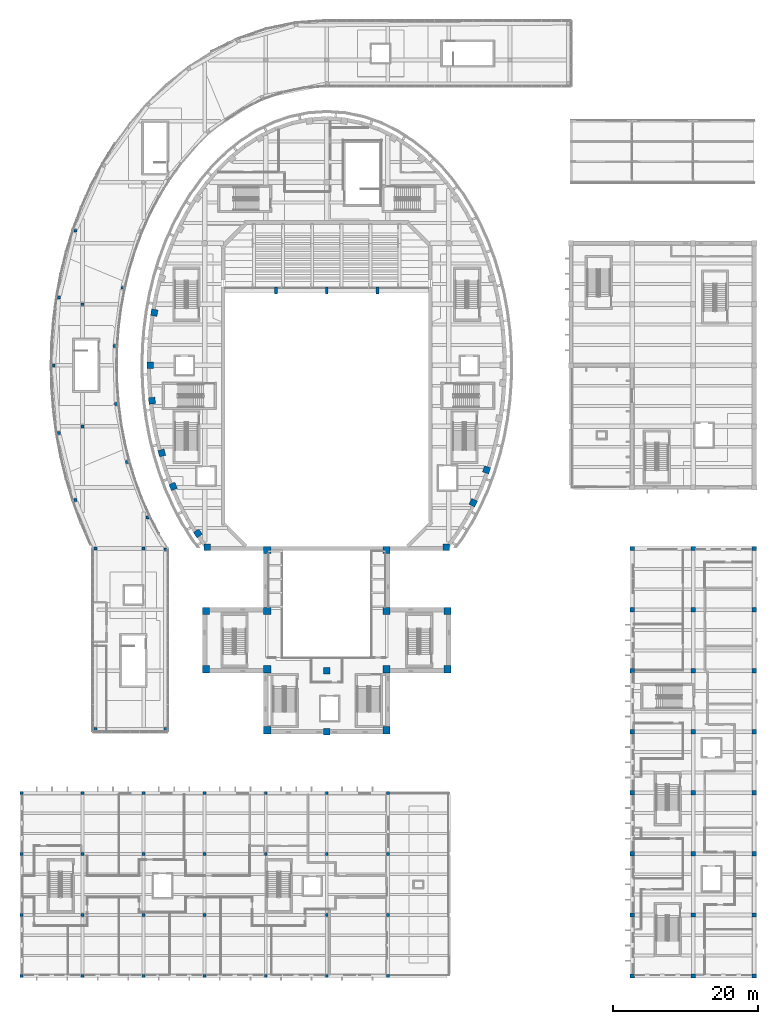
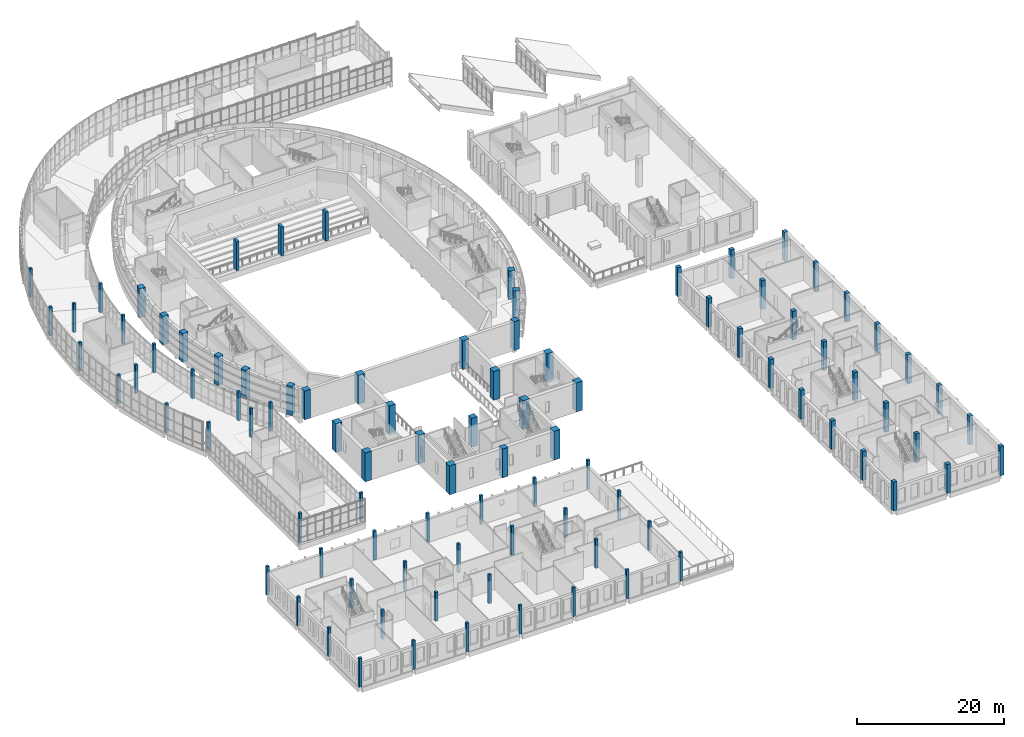
# One storey, part 1 of 103: 95 columns.
"""IFC4 building model written with IfcOpenShell, lengths in metres."""

from ifc_helpers import new_model, si_unit, direction, frame, origin, origin_2d, place, context, subcontext, project, spatial, rectangle, extrude, material, material_profile, profile_set, type_object, element, save


model = new_model("IFC4")

# Units and contexts
model_context = context("Model", 3, precision=1e-05, world=origin(), true_north=direction((0.0, 1.0)))
body_context = subcontext(model_context, "Body", "Model", "MODEL_VIEW")
ifc_project = project(units=[si_unit("LENGTHUNIT", "METRE"), si_unit("AREAUNIT", "SQUARE_METRE"), si_unit("VOLUMEUNIT", "CUBIC_METRE"), si_unit("PLANEANGLEUNIT", "RADIAN"), si_unit("MASSUNIT", "GRAM", prefix="KILO")], contexts=[model_context])

# Site, building, storey
site_placement = place(None, origin())
site = spatial("IfcSite", under=ifc_project, at=site_placement, CompositionType="ELEMENT")
building_placement = place(site_placement, origin())
building = spatial("IfcBuilding", under=site, at=building_placement, Name="Larchfold Concert Hall", CompositionType="ELEMENT")
storey_placement = place(building_placement, frame((0.0, 0.0, 9.60009765625)))
storey = spatial("IfcBuildingStorey", under=building, at=storey_placement, Name="L02", CompositionType="ELEMENT", Elevation=9.60009765625)

# Columns
ifc_material_1 = material(Name="Concrete C35/45", Category="concrete")
ifc_material_profile_1 = material_profile(ifc_material_1, rectangle(XDim=1.0, YDim=1.0, at=origin_2d()))
ifc_profile_set_1 = profile_set([ifc_material_profile_1], Name="Concrete C35/45")
column_type_1 = type_object("IfcColumnType", Name="Column RC 1000x1000", PredefinedType="COLUMN", material=ifc_profile_set_1)
for number, where, z_axis, x_axis, name in (
    (1, (26.0, 42.800048828125, 0.0), (0.0, 0.0, 1.0), (1.0, 0.0, 0.0), "Column C0069"),
    (2, (26.0, 50.800048828125, 0.0), (0.0, 0.0, 1.0), (1.0, 0.0, 0.0), "Column C0070"),
    (3, (34.39990234375, 34.39990234375, 0.0), (0.0, 0.0, 1.0), (1.0, 0.0, 0.0), "Column C0071"),
    (4, (34.39990234375, 42.800048828125, 0.0), (0.0, 0.0, 1.0), (1.0, 0.0, 0.0), "Column C0072"),
    (5, (34.39990234375, 50.800048828125, 0.0), (0.0, 0.0, 1.0), (1.0, 0.0, 0.0), "Column C0073"),
    (6, (34.39990234375, 59.199951171875, 0.0), (0.0, 0.0, 1.0), (1.0, 0.0, 0.0), "Column C0074"),
    (7, (50.800048828125, 34.39990234375, 0.0), (0.0, 0.0, 1.0), (1.0, 0.0, 0.0), "Column C0077"),
    (8, (50.800048828125, 42.800048828125, 0.0), (0.0, 0.0, 1.0), (1.0, 0.0, 0.0), "Column C0078"),
    (9, (50.800048828125, 50.800048828125, 0.0), (0.0, 0.0, 1.0), (1.0, 0.0, 0.0), "Column C0079"),
    (10, (50.800048828125, 59.199951171875, 0.0), (0.0, 0.0, 1.0), (1.0, 0.0, 0.0), "Column C0080"),
    (11, (59.199951171875, 42.800048828125, 0.0), (0.0, 0.0, 1.0), (1.0, 0.0, 0.0), "Column C0081"),
    (12, (59.199951171875, 50.800048828125, 0.0), (0.0, 0.0, 1.0), (1.0, 0.0, 0.0), "Column C0082"),
):
    element("IfcColumn", number, at=place(storey_placement, frame(where, z_axis=z_axis, x_axis=x_axis)), inside=storey, type_object=column_type_1, Name=name, PredefinedType="COLUMN", context=body_context, shape_type="SweptSolid", body=[
        extrude(rectangle(XDim=1.0, YDim=1.0, at=origin_2d()), origin(), (0.0, 0.0, 1.0), 4.7998046875),
    ])
ifc_material_2 = material(Name="Concrete C35/45", Category="concrete")
ifc_material_profile_2 = material_profile(ifc_material_2, rectangle(XDim=0.39990234375, YDim=0.39990234375, at=origin_2d()))
ifc_profile_set_2 = profile_set([ifc_material_profile_2], Name="Concrete C35/45")
column_type_2 = type_object("IfcColumnType", Name="Column RC 400x400", PredefinedType="COLUMN", material=ifc_profile_set_2)
for number, where, z_axis, x_axis, name in (
    (13, (0.60009765625, 0.60009765625, 0.0), (0.0, 0.0, 1.0), (1.0, 0.0, 0.0), "Column C0001"),
    (14, (0.60009765625, 9.0, 0.0), (0.0, 0.0, 1.0), (1.0, 0.0, 0.0), "Column C0002"),
    (15, (0.60009765625, 17.39990234375, 0.0), (0.0, 0.0, 1.0), (1.0, 0.0, 0.0), "Column C0003"),
    (16, (0.60009765625, 25.800048828125, 0.0), (0.0, 0.0, 1.0), (1.0, 0.0, 0.0), "Column C0004"),
    (17, (9.0, 0.60009765625, 0.0), (0.0, 0.0, 1.0), (1.0, 0.0, 0.0), "Column C0005"),
    (18, (9.0, 9.0, 0.0), (0.0, 0.0, 1.0), (1.0, 0.0, 0.0), "Column C0006"),
    (19, (9.0, 17.39990234375, 0.0), (0.0, 0.0, 1.0), (1.0, 0.0, 0.0), "Column C0007"),
    (20, (9.0, 25.800048828125, 0.0), (0.0, 0.0, 1.0), (1.0, 0.0, 0.0), "Column C0008"),
    (21, (17.39990234375, 0.60009765625, 0.0), (0.0, 0.0, 1.0), (1.0, 0.0, 0.0), "Column C0009"),
    (22, (17.39990234375, 9.0, 0.0), (0.0, 0.0, 1.0), (1.0, 0.0, 0.0), "Column C0010"),
    (23, (17.39990234375, 17.39990234375, 0.0), (0.0, 0.0, 1.0), (1.0, 0.0, 0.0), "Column C0011"),
    (24, (17.39990234375, 25.800048828125, 0.0), (0.0, 0.0, 1.0), (1.0, 0.0, 0.0), "Column C0012"),
    (25, (25.800048828125, 0.60009765625, 0.0), (0.0, 0.0, 1.0), (1.0, 0.0, 0.0), "Column C0013"),
    (26, (25.800048828125, 9.0, 0.0), (0.0, 0.0, 1.0), (1.0, 0.0, 0.0), "Column C0014"),
    (27, (25.800048828125, 17.39990234375, 0.0), (0.0, 0.0, 1.0), (1.0, 0.0, 0.0), "Column C0015"),
    (28, (25.800048828125, 25.800048828125, 0.0), (0.0, 0.0, 1.0), (1.0, 0.0, 0.0), "Column C0016"),
    (29, (34.199951171875, 0.60009765625, 0.0), (0.0, 0.0, 1.0), (1.0, 0.0, 0.0), "Column C0017"),
    (30, (34.199951171875, 17.39990234375, 0.0), (0.0, 0.0, 1.0), (1.0, 0.0, 0.0), "Column C0018"),
    (31, (34.199951171875, 25.800048828125, 0.0), (0.0, 0.0, 1.0), (1.0, 0.0, 0.0), "Column C0019"),
    (32, (42.60009765625, 0.60009765625, 0.0), (0.0, 0.0, 1.0), (1.0, 0.0, 0.0), "Column C0020"),
    (33, (42.60009765625, 9.0, 0.0), (0.0, 0.0, 1.0), (1.0, 0.0, 0.0), "Column C0021"),
    (34, (42.60009765625, 17.39990234375, 0.0), (0.0, 0.0, 1.0), (1.0, 0.0, 0.0), "Column C0022"),
    (35, (42.60009765625, 25.800048828125, 0.0), (0.0, 0.0, 1.0), (1.0, 0.0, 0.0), "Column C0023"),
    (36, (51.0, 0.60009765625, 0.0), (0.0, 0.0, 1.0), (1.0, 0.0, 0.0), "Column C0024"),
    (37, (51.0, 9.0, 0.0), (0.0, 0.0, 1.0), (1.0, 0.0, 0.0), "Column C0025"),
    (38, (51.0, 17.39990234375, 0.0), (0.0, 0.0, 1.0), (1.0, 0.0, 0.0), "Column C0026"),
    (39, (51.0, 25.800048828125, 0.0), (0.0, 0.0, 1.0), (1.0, 0.0, 0.0), "Column C0027"),
    (40, (20.39892578125, 59.301025390625, 0.0), (0.0, 0.0, 1.0), (1.0, 0.0, 0.0), "Column C0086"),
    (41, (20.39892578125, 34.550048828125, 0.0), (0.0, 0.0, 1.0), (1.0, 0.0, 0.0), "Column C0087"),
    (42, (10.758056640625, 34.550048828125, 0.0), (0.0, 0.0, 1.0), (1.0, 0.0, 0.0), "Column C0088"),
    (43, (10.758056640625, 59.39990234375, 0.0), (0.0, 0.0, 1.0), (1.0, 0.0, 0.0), "Column C0089"),
    (44, (8.01806640625, 66.0791015625, 0.0), (0.0, 0.0, 1.0), (1.0, 0.0, 0.0), "Column C0090"),
    (45, (5.77294921875, 75.2900390625, 0.0), (0.0, 0.0, 1.0), (1.0, 0.0, 0.0), "Column C0091"),
    (46, (5.0458984375, 84.60009765625, 0.0), (0.0, 0.0, 1.0), (1.0, 0.0, 0.0), "Column C0092"),
    (47, (5.77294921875, 93.910888671875, 0.0), (0.0, 0.0, 1.0), (1.0, 0.0, 0.0), "Column C0093"),
    (48, (8.01806640625, 103.12109375, 0.0), (0.0, 0.0, 1.0), (1.0, 0.0, 0.0), "Column C0094"),
    (49, (14.467041015625, 95.27001953125, 0.0), (0.0, 0.0, 1.0), (1.0, 0.0, 0.0), "Column C0107"),
    (50, (13.41796875, 87.2880859375, 0.0), (0.0, 0.0, 1.0), (1.0, 0.0, 0.0), "Column C0108"),
    (51, (13.625, 79.257080078125, 0.0), (0.0, 0.0, 1.0), (1.0, 0.0, 0.0), "Column C0109"),
    (52, (15.09912109375, 71.326904296875, 0.0), (0.0, 0.0, 1.0), (1.0, 0.0, 0.0), "Column C0110"),
    (53, (17.93310546875, 63.679931640625, 0.0), (0.0, 0.0, 1.0), (1.0, 0.0, 0.0), "Column C0111"),
    (54, (9.0, 76.199951171875, 0.0), (0.0, 0.0, 1.0), (1.0, 0.0, 0.0), "Column C0112"),
    (55, (9.0, 93.0, 0.0), (0.0, 0.0, 1.0), (1.0, 0.0, 0.0), "Column C0113"),
    (56, (17.39990234375, 59.39990234375, 0.0), (0.0, 0.0, 1.0), (1.0, 0.0, 0.0), "Column C0114"),
):
    element("IfcColumn", number, at=place(storey_placement, frame(where, z_axis=z_axis, x_axis=x_axis)), inside=storey, type_object=column_type_2, Name=name, PredefinedType="COLUMN", context=body_context, shape_type="SweptSolid", body=[
        extrude(rectangle(XDim=0.39990234375, YDim=0.39990234375, at=origin_2d()), origin(), (0.0, 0.0, 1.0), 4.7998046875),
    ])
ifc_material_3 = material(Name="Concrete C35/45", Category="concrete")
ifc_material_profile_3 = material_profile(ifc_material_3, rectangle(XDim=0.39990234375, YDim=0.89990234375, at=origin_2d()))
ifc_profile_set_3 = profile_set([ifc_material_profile_3], Name="Concrete C35/45")
column_type_3 = type_object("IfcColumnType", Name="Column RC 400x900", PredefinedType="COLUMN", material=ifc_profile_set_3)
for number, where, z_axis, x_axis, name in (
    (57, (35.60009765625, 94.89990234375, 0.0), (0.0, 0.0, 1.0), (1.0, 0.0, 0.0), "Column C0083"),
    (58, (42.60009765625, 94.89990234375, 0.0), (0.0, 0.0, 1.0), (1.0, 0.0, 0.0), "Column C0084"),
    (59, (49.60009765625, 94.89990234375, 0.0), (0.0, 0.0, 1.0), (1.0, 0.0, 0.0), "Column C0085"),
):
    element("IfcColumn", number, at=place(storey_placement, frame(where, z_axis=z_axis, x_axis=x_axis)), inside=storey, type_object=column_type_3, Name=name, PredefinedType="COLUMN", context=body_context, shape_type="SweptSolid", body=[
        extrude(rectangle(XDim=0.39990234375, YDim=0.89990234375, at=origin_2d()), origin(), (0.0, 0.0, 1.0), 4.7998046875),
    ])
ifc_material_4 = material(Name="Concrete C35/45", Category="concrete")
ifc_material_profile_4 = material_profile(ifc_material_4, rectangle(XDim=0.60009765625, YDim=0.60009765625, at=origin_2d()))
ifc_profile_set_4 = profile_set([ifc_material_profile_4], Name="Concrete C35/45")
column_type_4 = type_object("IfcColumnType", Name="Column RC 600x600", PredefinedType="COLUMN", material=ifc_profile_set_4)
for number, where, z_axis, x_axis, name in (
    (60, (84.60009765625, 0.60009765625, 0.0), (0.0, 0.0, 1.0), (1.0, 0.0, 0.0), "Column C0028"),
    (61, (84.60009765625, 9.0, 0.0), (0.0, 0.0, 1.0), (1.0, 0.0, 0.0), "Column C0029"),
    (62, (84.60009765625, 17.39990234375, 0.0), (0.0, 0.0, 1.0), (1.0, 0.0, 0.0), "Column C0030"),
    (63, (84.60009765625, 25.800048828125, 0.0), (0.0, 0.0, 1.0), (1.0, 0.0, 0.0), "Column C0031"),
    (64, (84.60009765625, 34.199951171875, 0.0), (0.0, 0.0, 1.0), (1.0, 0.0, 0.0), "Column C0032"),
    (65, (84.60009765625, 42.60009765625, 0.0), (0.0, 0.0, 1.0), (1.0, 0.0, 0.0), "Column C0033"),
    (66, (84.60009765625, 51.0, 0.0), (0.0, 0.0, 1.0), (1.0, 0.0, 0.0), "Column C0034"),
    (67, (84.60009765625, 59.39990234375, 0.0), (0.0, 0.0, 1.0), (1.0, 0.0, 0.0), "Column C0035"),
    (68, (93.0, 0.60009765625, 0.0), (0.0, 0.0, 1.0), (1.0, 0.0, 0.0), "Column C0036"),
    (69, (93.0, 9.0, 0.0), (0.0, 0.0, 1.0), (1.0, 0.0, 0.0), "Column C0037"),
    (70, (93.0, 17.39990234375, 0.0), (0.0, 0.0, 1.0), (1.0, 0.0, 0.0), "Column C0038"),
    (71, (93.0, 25.800048828125, 0.0), (0.0, 0.0, 1.0), (1.0, 0.0, 0.0), "Column C0039"),
    (72, (93.0, 34.199951171875, 0.0), (0.0, 0.0, 1.0), (1.0, 0.0, 0.0), "Column C0040"),
    (73, (93.0, 42.60009765625, 0.0), (0.0, 0.0, 1.0), (1.0, 0.0, 0.0), "Column C0041"),
    (74, (93.0, 51.0, 0.0), (0.0, 0.0, 1.0), (1.0, 0.0, 0.0), "Column C0042"),
    (75, (93.0, 59.39990234375, 0.0), (0.0, 0.0, 1.0), (1.0, 0.0, 0.0), "Column C0043"),
    (76, (101.39990234375, 0.60009765625, 0.0), (0.0, 0.0, 1.0), (1.0, 0.0, 0.0), "Column C0044"),
    (77, (101.39990234375, 9.0, 0.0), (0.0, 0.0, 1.0), (1.0, 0.0, 0.0), "Column C0045"),
    (78, (101.39990234375, 17.39990234375, 0.0), (0.0, 0.0, 1.0), (1.0, 0.0, 0.0), "Column C0046"),
    (79, (101.39990234375, 25.800048828125, 0.0), (0.0, 0.0, 1.0), (1.0, 0.0, 0.0), "Column C0047"),
    (80, (101.39990234375, 34.199951171875, 0.0), (0.0, 0.0, 1.0), (1.0, 0.0, 0.0), "Column C0048"),
    (81, (101.39990234375, 42.60009765625, 0.0), (0.0, 0.0, 1.0), (1.0, 0.0, 0.0), "Column C0049"),
    (82, (101.39990234375, 51.0, 0.0), (0.0, 0.0, 1.0), (1.0, 0.0, 0.0), "Column C0050"),
    (83, (101.39990234375, 59.39990234375, 0.0), (0.0, 0.0, 1.0), (1.0, 0.0, 0.0), "Column C0051"),
):
    element("IfcColumn", number, at=place(storey_placement, frame(where, z_axis=z_axis, x_axis=x_axis)), inside=storey, type_object=column_type_4, Name=name, PredefinedType="COLUMN", context=body_context, shape_type="SweptSolid", body=[
        extrude(rectangle(XDim=0.60009765625, YDim=0.60009765625, at=origin_2d()), origin(), (0.0, 0.0, 1.0), 4.7998046875),
    ])
ifc_material_5 = material(Name="Concrete C35/45", Category="concrete")
ifc_material_profile_5 = material_profile(ifc_material_5, rectangle(XDim=0.89990234375, YDim=0.89990234375, at=origin_2d()))
ifc_profile_set_5 = profile_set([ifc_material_profile_5], Name="Concrete C35/45")
column_type_5 = type_object("IfcColumnType", Name="Column RC 900x900", PredefinedType="COLUMN", material=ifc_profile_set_5)
for number, where, z_axis, x_axis, name in (
    (84, (42.60009765625, 34.199951171875, 0.0), (0.0, 0.0, 1.0), (1.0, 0.0, 0.0), "Column C0075"),
    (85, (42.60009765625, 42.60009765625, 0.0), (0.0, 0.0, 1.0), (1.0, 0.0, 0.0), "Column C0076"),
    (86, (18.86474609375, 91.841796875, 0.0), (0.0, 0.0, 1.0), (0.155868072999, 0.987777881823, 0.0), "Column C9015"),
    (87, (18.300048828125, 84.60009765625, 0.0), (0.0, 0.0, 1.0), (2.069716e-06, 0.999999999998, 0.0), "Column C9016"),
    (88, (18.5537109375, 79.73095703125, 0.0), (0.0, 0.0, 1.0), (0.994561340283, 0.104152486359, 0.0), "Column C9017"),
    (89, (19.898193359375, 72.548828125, 0.0), (0.0, 0.0, 1.0), (0.964323619166, 0.264726193489, 0.0), "Column C9018"),
    (90, (21.461181640625, 67.934326171875, 0.0), (0.0, 0.0, 1.0), (0.926013821217, 0.377489606368, 0.0), "Column C9019"),
    (91, (24.872314453125, 61.4873046875, 0.0), (0.0, 0.0, 1.0), (0.829252824487, 0.558873646794, 0.0), "Column C9020"),
    (92, (26.153076171875, 59.599853515625, 0.0), (0.0, 0.0, 1.0), (1.0, 0.0, 0.0), "Column C9021"),
    (93, (59.047119140625, 59.599853515625, 0.0), (0.0, 0.0, 1.0), (1.0, 0.0, 0.0), "Column C9022"),
    (94, (62.748291015625, 65.708984375, 0.0), (0.0, 0.0, 1.0), (0.436211127096, 0.899844349095, 0.0), "Column C9023"),
    (95, (64.589111328125, 70.218017578125, 0.0), (0.0, 0.0, 1.0), (0.320382697349, 0.947288196506, 0.0), "Column C9024"),
):
    element("IfcColumn", number, at=place(storey_placement, frame(where, z_axis=z_axis, x_axis=x_axis)), inside=storey, type_object=column_type_5, Name=name, PredefinedType="COLUMN", context=body_context, shape_type="SweptSolid", body=[
        extrude(rectangle(XDim=0.89990234375, YDim=0.89990234375, at=origin_2d()), origin(), (0.0, 0.0, 1.0), 4.7998046875),
    ])

save(model, "model.ifc")
